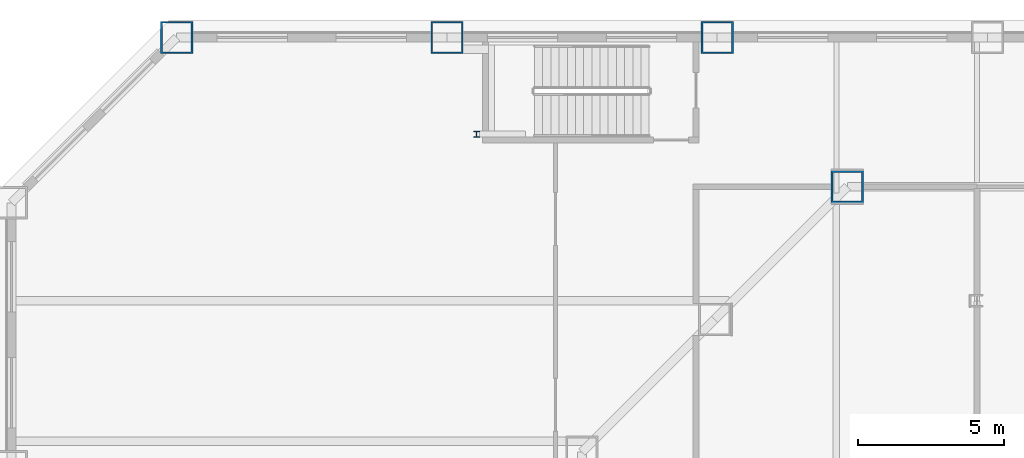
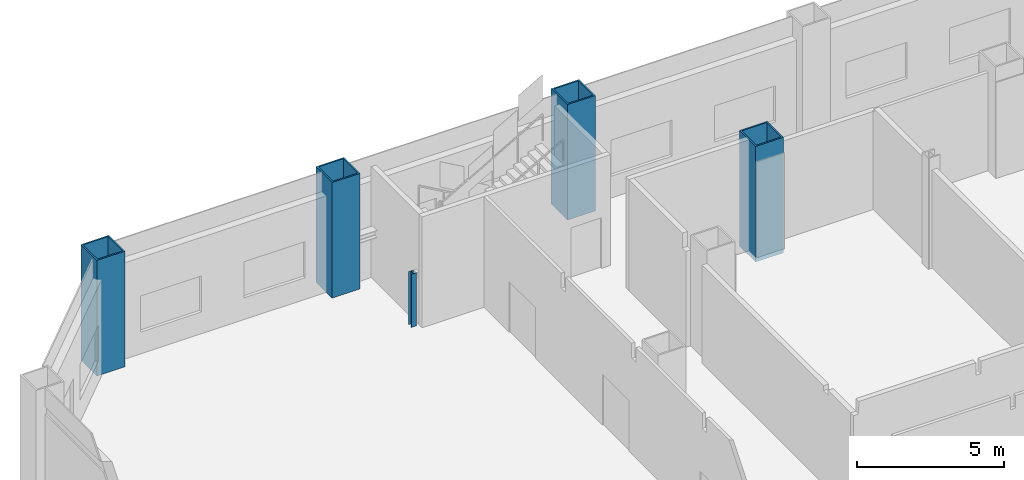
# One storey, part 3 of 25: 5 columns.
"""IFC4 building model written with IfcOpenShell, lengths in metres."""

from ifc_helpers import new_model, si_unit, direction, frame, origin, origin_2d, place, context, subcontext, project, spatial, hollow_rectangle, i_section, extrude, material, material_profile, profile_set, type_object, element, save


model = new_model("IFC4")

# Units and contexts
model_context = context("Model", 3, precision=1e-05, world=origin(), true_north=direction((0.0, 1.0)))
body_context = subcontext(model_context, "Body", "Model", "MODEL_VIEW")
ifc_project = project(units=[si_unit("LENGTHUNIT", "METRE"), si_unit("AREAUNIT", "SQUARE_METRE"), si_unit("VOLUMEUNIT", "CUBIC_METRE"), si_unit("PLANEANGLEUNIT", "RADIAN"), si_unit("MASSUNIT", "GRAM", prefix="KILO")], contexts=[model_context])

# Site, building, storey
site_placement = place(None, origin())
site = spatial("IfcSite", under=ifc_project, at=site_placement, CompositionType="ELEMENT")
building_placement = place(site_placement, origin())
building = spatial("IfcBuilding", under=site, at=building_placement, Name="Cairn Pilgrim Tower", CompositionType="ELEMENT")
storey_placement = place(building_placement, frame((0.0, 0.0, 30.60009765625)))
storey = spatial("IfcBuildingStorey", under=building, at=storey_placement, Name="L05", CompositionType="ELEMENT", Elevation=30.60009765625)

# Columns
ifc_material_1 = material(Name="Structural steel S460M", Category="steel")
ifc_material_profile_1 = material_profile(ifc_material_1, hollow_rectangle(XDim=1.10009765625, YDim=1.10009765625, WallThickness=0.06005859375, at=origin_2d()), Name="BOX 1100x1100x60")
ifc_profile_set_1 = profile_set([ifc_material_profile_1], Name="Structural steel S460M")
column_type_1 = type_object("IfcColumnType", Name="BOX 1100x1100x60", PredefinedType="COLUMN", material=ifc_profile_set_1)
column_1_placement = place(storey_placement, frame((-18.8271484375, 23.10009765625, -0.2001953125), z_axis=(0.0, 0.0, 1.0), x_axis=(1.0, 0.0, 0.0)))
element("IfcColumn", 1, at=column_1_placement, inside=storey, type_object=column_type_1, Name="PC1-NW1", PredefinedType="COLUMN", context=body_context, shape_type="SweptSolid", body=[
    extrude(hollow_rectangle(XDim=1.10009765625, YDim=1.10009765625, WallThickness=0.06005859375, at=origin_2d()), origin(), (0.0, 0.0, 1.0), 4.800048828125),
])
ifc_material_profile_2 = material_profile(ifc_material_1, hollow_rectangle(XDim=1.10009765625, YDim=1.10009765625, WallThickness=0.06005859375, at=origin_2d()), Name="BOX 1100x1100x60")
ifc_profile_set_2 = profile_set([ifc_material_profile_2], Name="Structural steel S460M")
column_type_2 = type_object("IfcColumnType", Name="PILOTIS CFT 1100", PredefinedType="COLUMN", material=ifc_profile_set_2)
for number, where, z_axis, x_axis, name in (
    (2, (-23.275634765625, 28.199951171875, 0.0), (0.0, 0.0, 1.0), (1.0, 0.0, 0.0), "PILOTIS PL-N7"),
    (3, (-32.513671875, 28.199951171875, 0.0), (0.0, 0.0, 1.0), (1.0, 0.0, 0.0), "PILOTIS PL-N8"),
    (4, (-41.75146484375, 28.199951171875, 0.0), (0.0, 0.0, 1.0), (1.0, 0.0, 0.0), "PILOTIS PL-NW1"),
):
    element("IfcColumn", number, at=place(storey_placement, frame(where, z_axis=z_axis, x_axis=x_axis)), inside=storey, type_object=column_type_2, Name=name, PredefinedType="COLUMN", context=body_context, shape_type="SweptSolid", body=[
        extrude(hollow_rectangle(XDim=1.10009765625, YDim=1.10009765625, WallThickness=0.06005859375, at=origin_2d()), origin(), (0.0, 0.0, 1.0), 4.7998046875),
    ])
ifc_material_2 = material(Name="Structural steel S355J2", Category="steel")
ifc_material_profile_3 = material_profile(ifc_material_2, i_section(OverallWidth=0.199951171875, OverallDepth=0.199951171875, WebThickness=0.009033203125, FlangeThickness=0.014892578125, FilletRadius=0.01806640625, at=origin_2d()), Name="HE 200 B")
ifc_profile_set_3 = profile_set([ifc_material_profile_3], Name="Structural steel S355J2")
column_type_3 = type_object("IfcColumnType", Name="STAIR POST HE 200 B", PredefinedType="COLUMN", material=ifc_profile_set_3)
column_2_placement = place(storey_placement, frame((-31.5, 24.89990234375, 0.0), z_axis=(0.0, 0.0, 1.0), x_axis=(1.0, 0.0, 0.0)))
element("IfcColumn", 5, at=column_2_placement, inside=storey, type_object=column_type_3, Name="STAIR POST LP-HN-W", PredefinedType="COLUMN", context=body_context, shape_type="SweptSolid", body=[
    extrude(i_section(OverallWidth=0.199951171875, OverallDepth=0.199951171875, WebThickness=0.009033203125, FlangeThickness=0.014892578125, FilletRadius=0.01806640625, at=origin_2d()), origin(), (0.0, 0.0, 1.0), 2.199951171875),
])

save(model, "model.ifc")
